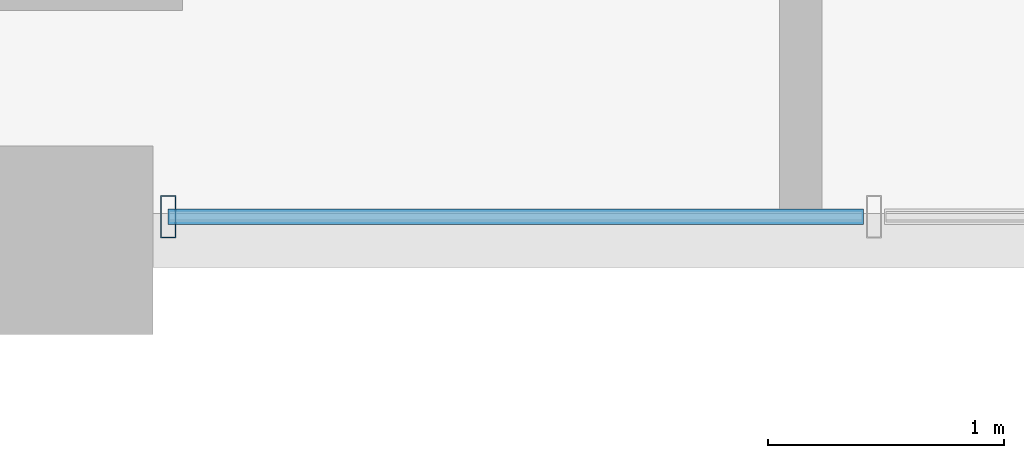
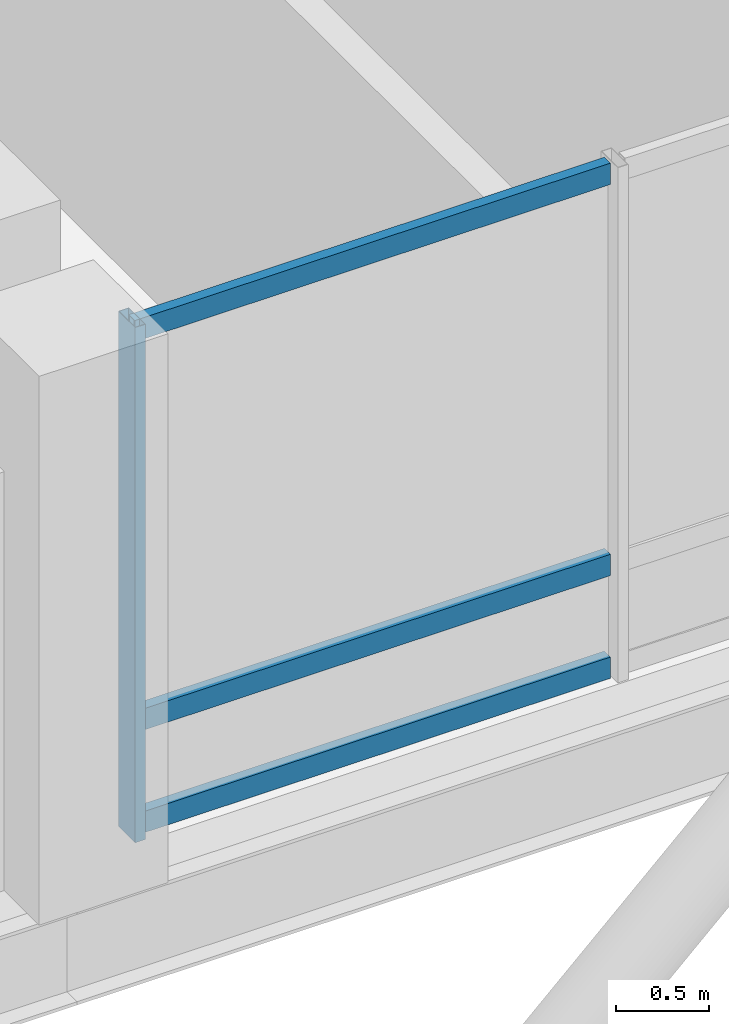
# One storey, part 2 of 23: 4 members, 1 element without a shape of its own.
"""IFC4 building model written with IfcOpenShell, lengths in metres."""

import ifcopenshell
import ifcopenshell.guid

model = None  # the IFC model being written
_history = None  # IfcOwnerHistory: only IFC2X3 demands one
_inside = {}  # id of a spatial element -> (the spatial element, [elements in it])
_under = {}  # id of a project, library or spatial element -> (it, [spatial elements below it])
_declared = {}  # id of a project -> (the project, [libraries it declares])
_typed = {}  # id of a type object -> (the type object, [elements of that type])
_made_of = {}  # id of a material, layer set ... -> (it, [elements and type objects made of it])


def new_model(schema):
    """Start an empty IFC model of exactly this schema.

    Asked for "IFC4X3", IfcOpenShell would pick the latest addendum, in which some entities
    have other attributes; the version numbers below select the first issue.
    IFC2X3 requires an IfcOwnerHistory on every rooted entity: one is made here for all.
    """
    global model, _history
    if schema == "IFC4X3":
        model = ifcopenshell.file(schema_version=(4, 3, 0, 0))
    else:
        model = ifcopenshell.file(schema=schema)
    _inside.clear()
    _under.clear()
    _declared.clear()
    _typed.clear()
    _made_of.clear()
    _history = None
    if model.schema == "IFC2X3":
        org = make("IfcOrganization", Name="unknown")
        user = make(
            "IfcPersonAndOrganization",
            ThePerson=make("IfcPerson", FamilyName="unknown"),
            TheOrganization=org,
        )
        app = make(
            "IfcApplication",
            ApplicationDeveloper=org,
            Version="unknown",
            ApplicationFullName="unknown",
            ApplicationIdentifier="unknown",
        )
        _history = make(
            "IfcOwnerHistory",
            OwningUser=user,
            OwningApplication=app,
            ChangeAction="ADDED",
            CreationDate=0,
        )
    return model


def make(cls, **values):
    """One entity of the class cls with the attributes given. An attribute that is None is left unset."""
    return model.create_entity(
        cls, **{name: value for name, value in values.items() if value is not None}
    )


def rooted(cls, **values):
    """An entity with a GlobalId (a new one), such as an element, a storey or a relation."""
    return make(cls, GlobalId=ifcopenshell.guid.new(), OwnerHistory=_history, **values)


def si_unit(unit_type, name, prefix=None):
    """IfcSIUnit, for example si_unit("LENGTHUNIT", "METRE", prefix="MILLI")."""
    return make("IfcSIUnit", UnitType=unit_type, Prefix=prefix, Name=name)


def assignment(units):
    """IfcUnitAssignment: the units of a project."""
    return None if units is None else make("IfcUnitAssignment", Units=units)


def point(xyz):
    """IfcCartesianPoint."""
    return None if xyz is None else make("IfcCartesianPoint", Coordinates=xyz)


def direction(xyz):
    """IfcDirection."""
    return None if xyz is None else make("IfcDirection", DirectionRatios=xyz)


def frame(location, z_axis=None, x_axis=None):
    """IfcAxis2Placement3D, a coordinate frame: its origin and axes. An axis left out is left unset."""
    return make(
        "IfcAxis2Placement3D",
        Location=point(location),
        Axis=direction(z_axis),
        RefDirection=direction(x_axis),
    )


def frame_2d(location, x_axis=None):
    """IfcAxis2Placement2D, a coordinate frame in the plane: its origin and x axis."""
    return make(
        "IfcAxis2Placement2D", Location=point(location), RefDirection=direction(x_axis)
    )


def origin():
    """The frame at (0, 0, 0) with its axes left unset."""
    return frame((0.0, 0.0, 0.0))


def origin_2d():
    """The frame at (0, 0) in the plane with its x axis left unset."""
    return frame_2d((0.0, 0.0))


def place(relative_to, where):
    """IfcLocalPlacement: puts the frame where relative to a parent placement (None: the world)."""
    return make(
        "IfcLocalPlacement", PlacementRelTo=relative_to, RelativePlacement=where
    )


def context(
    kind, dimensions, precision=None, world=None, true_north=None, identifier=None
):
    """IfcGeometricRepresentationContext, for example the 3D "Model" context."""
    return make(
        "IfcGeometricRepresentationContext",
        ContextIdentifier=identifier,
        ContextType=kind,
        CoordinateSpaceDimension=dimensions,
        Precision=precision,
        WorldCoordinateSystem=world,
        TrueNorth=true_north,
    )


def subcontext(parent, identifier, kind, view, scale=None):
    """IfcGeometricRepresentationSubContext, for example "Body" below "Model"."""
    return make(
        "IfcGeometricRepresentationSubContext",
        ContextIdentifier=identifier,
        ContextType=kind,
        ParentContext=parent,
        TargetScale=scale,
        TargetView=view,
    )


def project(units=None, contexts=None):
    """IfcProject with its units and contexts."""
    return rooted(
        "IfcProject",
        Name="project",
        RepresentationContexts=contexts,
        UnitsInContext=assignment(units),
    )


def spatial(cls, under=None, at=None, **own):
    """A site, building, storey or space (cls), placed at a placement, below another one or the project."""
    s = rooted(cls, ObjectPlacement=at, **own)
    if under is not None:
        _under.setdefault(under.id(), (under, []))[1].append(s)
    return s


def profile(cls, at=None, kind="AREA", **sizes):
    """A parametric profile (cls). Its sizes go by their IFC names, for example OverallWidth=200.0."""
    return make(cls, ProfileType=kind, Position=at, **sizes)


def hollow_rectangle(**sizes):
    """IfcRectangleHollowProfileDef."""
    return profile("IfcRectangleHollowProfileDef", **sizes)


def extrude(swept, where, along, depth):
    """IfcExtrudedAreaSolid: the profile swept, set in the frame where, extruded along a direction by depth."""
    return make(
        "IfcExtrudedAreaSolid",
        SweptArea=swept,
        Position=where,
        ExtrudedDirection=direction(along),
        Depth=depth,
    )


def shape(context_of_items, identifier, shape_type, items):
    """IfcShapeRepresentation: the items that make up one representation, for example the "Body"."""
    return make(
        "IfcShapeRepresentation",
        ContextOfItems=context_of_items,
        RepresentationIdentifier=identifier,
        RepresentationType=shape_type,
        Items=items,
    )


def material(Name=None, Category=None):
    """IfcMaterial."""
    return make("IfcMaterial", Name=Name, Category=Category)


def layer(
    of_material, thickness, ventilated=None, Name=None, Category=None, Priority=None
):
    """IfcMaterialLayer: one layer of a wall or slab, of a material (None: an air gap)."""
    return make(
        "IfcMaterialLayer",
        Material=of_material,
        LayerThickness=thickness,
        IsVentilated=ventilated,
        Name=Name,
        Category=Category,
        Priority=Priority,
    )


def layer_set(layers, Name=None):
    """IfcMaterialLayerSet."""
    return make("IfcMaterialLayerSet", MaterialLayers=layers, LayerSetName=Name)


def material_profile(
    of_material, cross_section, Name=None, Category=None, Priority=None
):
    """IfcMaterialProfile: a cross section and its material."""
    return make(
        "IfcMaterialProfile",
        Name=Name,
        Material=of_material,
        Profile=cross_section,
        Priority=Priority,
        Category=Category,
    )


def profile_set(profiles, Name=None, composite=None):
    """IfcMaterialProfileSet."""
    return make(
        "IfcMaterialProfileSet",
        Name=Name,
        MaterialProfiles=profiles,
        CompositeProfile=composite,
    )


def made_of(thing, what):
    """Note that an element or type object is made of a material, layer set ...; save() writes the relation."""
    if what is not None:
        _made_of.setdefault(what.id(), (what, []))[1].append(thing)
    return thing


def type_object(cls, material=None, **own):
    """A type object (cls), such as IfcWallType, which elements share."""
    return made_of(rooted(cls, **own), material)


def element(
    cls,
    number,
    at=None,
    inside=None,
    cuts=None,
    type_object=None,
    material=None,
    context=None,
    identifier="Body",
    shape_type=None,
    held_by="IfcProductDefinitionShape",
    body=None,
    shapes=None,
    **own,
):
    """One element of the class cls, such as IfcWall. Its Tag is "e" and its number.

    at: its placement. inside: the storey or other place that contains it. cuts: it is an
    opening in that element (IfcRelVoidsElement). A single representation is given by context,
    identifier, shape_type and body (its items); several are given by shapes. held_by: the class
    of the entity that holds the representations. save() writes the other relations.
    """
    e = rooted(cls, Tag="e%d" % number, ObjectPlacement=at, **own)
    if body is not None:
        shapes = [shape(context, identifier, shape_type, body)]
    if shapes is not None:
        e.Representation = make(held_by, Representations=shapes)
    if inside is not None:
        _inside.setdefault(inside.id(), (inside, []))[1].append(e)
    if cuts is not None:
        rooted(
            "IfcRelVoidsElement", RelatingBuildingElement=cuts, RelatedOpeningElement=e
        )
    if type_object is not None:
        _typed.setdefault(type_object.id(), (type_object, []))[1].append(e)
    return made_of(e, material)


def aggregate(whole, parts):
    """IfcRelAggregates: a whole, such as a stair, and the parts it consists of."""
    return rooted("IfcRelAggregates", RelatingObject=whole, RelatedObjects=parts)


def save(model, path):
    """Write the relations noted so far, then the file.

    IfcRelAggregates (storeys below a building ...), IfcRelContainedInSpatialStructure (elements
    in a storey), IfcRelDefinesByType, IfcRelAssociatesMaterial and IfcRelDeclares: one each for
    every whole, place, type object, material and project.
    """
    for whole, parts in _under.values():
        aggregate(whole, parts)
    for where, things in _inside.values():
        rooted(
            "IfcRelContainedInSpatialStructure",
            RelatedElements=things,
            RelatingStructure=where,
        )
    for kind, things in _typed.values():
        rooted("IfcRelDefinesByType", RelatedObjects=things, RelatingType=kind)
    for what, things in _made_of.values():
        rooted("IfcRelAssociatesMaterial", RelatedObjects=things, RelatingMaterial=what)
    for by, libraries in _declared.values():
        rooted("IfcRelDeclares", RelatingContext=by, RelatedDefinitions=libraries)
    model.write(path)


model = new_model("IFC4")

# Units and contexts
model_context = context("Model", 3, precision=1e-05, world=origin(), true_north=direction((0.0, 1.0)))
body_context = subcontext(model_context, "Body", "Model", "MODEL_VIEW")
ifc_project = project(units=[si_unit("LENGTHUNIT", "METRE"), si_unit("AREAUNIT", "SQUARE_METRE"), si_unit("VOLUMEUNIT", "CUBIC_METRE"), si_unit("PLANEANGLEUNIT", "RADIAN"), si_unit("MASSUNIT", "GRAM", prefix="KILO")], contexts=[model_context])

# Site, building, storey
site_placement = place(None, origin())
site = spatial("IfcSite", under=ifc_project, at=site_placement, CompositionType="ELEMENT")
building_placement = place(site_placement, origin())
building = spatial("IfcBuilding", under=site, at=building_placement, Name="Barlavira Tower and Art Museum", CompositionType="ELEMENT")
storey_placement = place(building_placement, frame((0.0, 0.0, 205.199951171875)))
storey = spatial("IfcBuildingStorey", under=building, at=storey_placement, Name="L53", CompositionType="ELEMENT", Elevation=205.199951171875)

# Curtain wall, members
ifc_material_1 = material(Name="Low-iron coastal laminated glass", Category="glass")
ifc_layer = layer(ifc_material_1, 0.199951171875, Name="Low-iron coastal laminated glass")
ifc_layer_set = layer_set([ifc_layer], Name="Low-iron coastal laminated glass")
curtain_wall_type = type_object("IfcCurtainWallType", Name="Pale-Metal Unitised Curtain Wall Zone 3", PredefinedType="NOTDEFINED", material=ifc_layer_set)
curtain_wall_placement = place(storey_placement, origin())
curtain_wall = element("IfcCurtainWall", 1, at=curtain_wall_placement, inside=storey, type_object=curtain_wall_type, Name="L53 Curtain Wall CW3-L53-S-B3", PredefinedType="NOTDEFINED")
ifc_material_2 = material(Name="Pale anodised aluminium", Category="aluminium")
ifc_material_profile_1 = material_profile(ifc_material_2, hollow_rectangle(XDim=0.06494140625, YDim=0.179931640625, WallThickness=0.00390625, at=origin_2d()), Name="ALU-MULL 65x180x4")
ifc_profile_set_1 = profile_set([ifc_material_profile_1], Name="Pale anodised aluminium")
member_type_1 = type_object("IfcMemberType", Name="Curtain Wall Pale-Metal Mullion 65x180", PredefinedType="MULLION", material=ifc_profile_set_1)
member_1_placement = place(storey_placement, frame((-6.034912109375, -21.39990234375, 0.0), z_axis=(0.0, 0.0, 1.0), x_axis=(1.0, 0.0, 0.0)))
member_1 = element("IfcMember", 2, at=member_1_placement, type_object=member_type_1, Name="CW3-L53-S-B3 Mullion 0", PredefinedType="MULLION", context=body_context, shape_type="SweptSolid", body=[
    extrude(hollow_rectangle(XDim=0.06494140625, YDim=0.179931640625, WallThickness=0.00390625, at=origin_2d()), origin(), (0.0, 0.0, 1.0), 3.380126953125),
])
ifc_material_profile_2 = material_profile(ifc_material_2, hollow_rectangle(XDim=0.06494140625, YDim=0.139892578125, WallThickness=0.00390625, at=origin_2d()), Name="ALU-TRAN 65x140x4")
ifc_profile_set_2 = profile_set([ifc_material_profile_2], Name="Pale anodised aluminium")
member_type_2 = type_object("IfcMemberType", Name="Curtain Wall Pale-Metal Transom 65x140", PredefinedType="USERDEFINED", material=ifc_profile_set_2)
member_2_placement = place(storey_placement, frame((-6.034912109375, -21.39990234375, 0.070068359375), z_axis=(1.0, 0.0, 0.0), x_axis=(0.0, 1.0, 0.0)))
member_2 = element("IfcMember", 3, at=member_2_placement, type_object=member_type_2, Name="CW3-L53-S-B3 Transom 0.1", ObjectType="TRANSOM", PredefinedType="USERDEFINED", context=body_context, shape_type="SweptSolid", body=[
    extrude(hollow_rectangle(XDim=0.06494140625, YDim=0.139892578125, WallThickness=0.00390625, at=origin_2d()), origin(), (0.0, 0.0, 1.0), 2.949951171875),
])
member_3_placement = place(storey_placement, frame((-6.034912109375, -21.39990234375, 0.744140625), z_axis=(1.0, 0.0, 0.0), x_axis=(0.0, 1.0, 0.0)))
member_3 = element("IfcMember", 4, at=member_3_placement, type_object=member_type_2, Name="CW3-L53-S-B3 Transom 0.2", ObjectType="TRANSOM", PredefinedType="USERDEFINED", context=body_context, shape_type="SweptSolid", body=[
    extrude(hollow_rectangle(XDim=0.06494140625, YDim=0.139892578125, WallThickness=0.00390625, at=origin_2d()), origin(), (0.0, 0.0, 1.0), 2.949951171875),
])
member_4_placement = place(storey_placement, frame((-6.034912109375, -21.39990234375, 3.31005859375), z_axis=(1.0, 0.0, 0.0), x_axis=(0.0, 1.0, 0.0)))
member_4 = element("IfcMember", 5, at=member_4_placement, type_object=member_type_2, Name="CW3-L53-S-B3 Transom 0.3", ObjectType="TRANSOM", PredefinedType="USERDEFINED", context=body_context, shape_type="SweptSolid", body=[
    extrude(hollow_rectangle(XDim=0.06494140625, YDim=0.139892578125, WallThickness=0.00390625, at=origin_2d()), origin(), (0.0, 0.0, 1.0), 2.949951171875),
])
aggregate(curtain_wall, [member_1, member_2, member_3, member_4])

save(model, "model.ifc")
